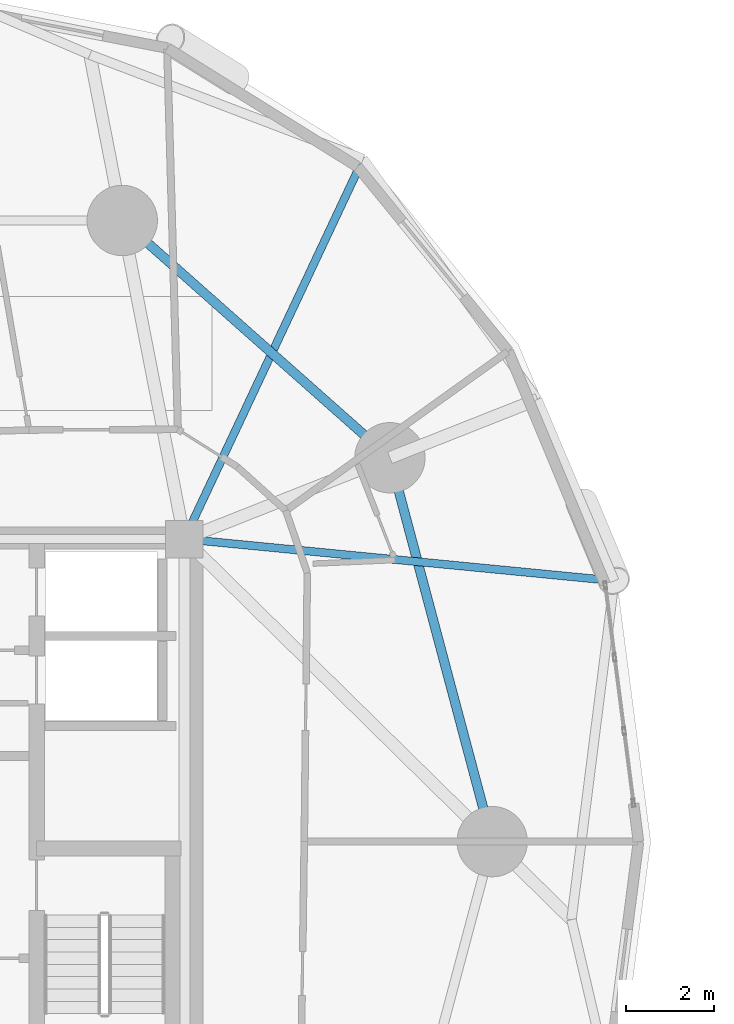
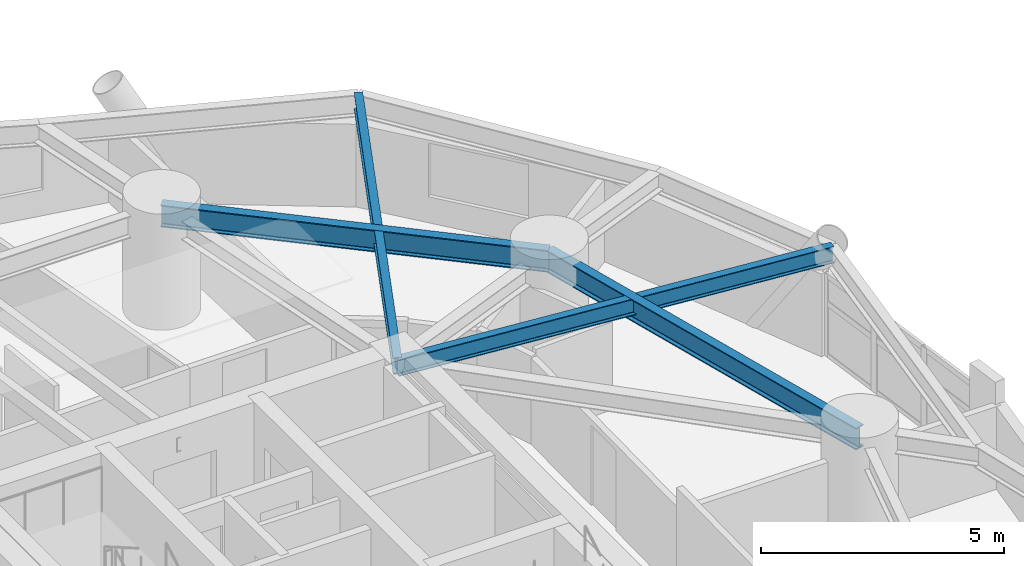
# One storey, part 3 of 18: 4 beams.
"""IFC4 building model written with IfcOpenShell, lengths in metres."""

from ifc_helpers import new_model, si_unit, direction, frame, origin, origin_2d, place, context, subcontext, project, spatial, i_section, extrude, material, material_profile, profile_set, type_object, element, save


model = new_model("IFC4")

# Units and contexts
model_context = context("Model", 3, precision=1e-05, world=origin(), true_north=direction((0.0, 1.0)))
body_context = subcontext(model_context, "Body", "Model", "MODEL_VIEW")
ifc_project = project(units=[si_unit("LENGTHUNIT", "METRE"), si_unit("AREAUNIT", "SQUARE_METRE"), si_unit("VOLUMEUNIT", "CUBIC_METRE"), si_unit("PLANEANGLEUNIT", "RADIAN"), si_unit("MASSUNIT", "GRAM", prefix="KILO")], contexts=[model_context])

# Site, building, storey
site_placement = place(None, origin())
site = spatial("IfcSite", under=ifc_project, at=site_placement, CompositionType="ELEMENT")
building_placement = place(site_placement, origin())
building = spatial("IfcBuilding", under=site, at=building_placement, Name="Cununo Teusaquillo Station Towers", CompositionType="ELEMENT")
storey_placement = place(building_placement, frame((0.0, 0.0, 36.550048828125)))
storey = spatial("IfcBuildingStorey", under=building, at=storey_placement, Name="L10", CompositionType="ELEMENT", Elevation=36.550048828125)

# Beams
ifc_material_1 = material(Name="Steel ASTM A572 Grade 50", Category="steel")
ifc_material_profile_1 = material_profile(ifc_material_1, i_section(OverallWidth=0.180908203125, OverallDepth=0.4169921875, WebThickness=0.010986328125, FlangeThickness=0.018310546875, FilletRadius=0.012939453125, at=origin_2d()), Name="W16X57")
ifc_profile_set_1 = profile_set([ifc_material_profile_1], Name="Steel ASTM A572 Grade 50")
beam_type_1 = type_object("IfcBeamType", Name="BM-JOIST-1", PredefinedType="JOIST", material=ifc_profile_set_1)
beam_1_placement = place(storey_placement, frame((21.675048828125, 31.3798828125, 2.44140625), z_axis=(0.995310719276, -0.096729375545, 0.0), x_axis=(0.096729375545, 0.995310719276, 0.0)))
element("IfcBeam", 1, at=beam_1_placement, inside=storey, type_object=beam_type_1, Name="L10 Tower A Radial Spandrel Joist V01", PredefinedType="JOIST", context=body_context, shape_type="SweptSolid", body=[
    extrude(i_section(OverallWidth=0.180908203125, OverallDepth=0.4169921875, WebThickness=0.010986328125, FlangeThickness=0.018310546875, FilletRadius=0.012939453125, at=origin_2d()), origin(), (0.0, 0.0, 1.0), 9.82080078125),
])
beam_2_placement = place(storey_placement, frame((21.675048828125, 31.3798828125, 2.44140625), z_axis=(0.425472080871, 0.904971551155, 0.0), x_axis=(-0.904971551155, 0.425472080871, 0.0)))
element("IfcBeam", 2, at=beam_2_placement, inside=storey, type_object=beam_type_1, Name="L10 Tower A Radial Spandrel Joist V03", PredefinedType="JOIST", context=body_context, shape_type="SweptSolid", body=[
    extrude(i_section(OverallWidth=0.180908203125, OverallDepth=0.4169921875, WebThickness=0.010986328125, FlangeThickness=0.018310546875, FilletRadius=0.012939453125, at=origin_2d()), origin(), (0.0, 0.0, 1.0), 9.552734375),
])
ifc_material_2 = material(Name="Steel ASTM A572 Grade 50", Category="steel")
ifc_material_profile_2 = material_profile(ifc_material_2, i_section(OverallWidth=0.214111328125, OverallDepth=0.549072265625, WebThickness=0.0146484375, FlangeThickness=0.023681640625, FilletRadius=0.014892578125, at=origin_2d()), Name="W21X93")
ifc_profile_set_2 = profile_set([ifc_material_profile_2], Name="Steel ASTM A572 Grade 50")
beam_type_2 = type_object("IfcBeamType", Name="BM-RING-Z1", PredefinedType="SPANDREL", material=ifc_profile_set_2)
beam_3_placement = place(storey_placement, frame((28.672119140625, 24.5, 2.37548828125), z_axis=(-0.257363196347, 0.966314744359, 0.0), x_axis=(-0.966314744359, -0.257363196347, 0.0)))
element("IfcBeam", 3, at=beam_3_placement, inside=storey, type_object=beam_type_2, Name="L10 Tower A Structural Column Ring Girder 01", PredefinedType="SPANDREL", context=body_context, shape_type="SweptSolid", body=[
    extrude(i_section(OverallWidth=0.214111328125, OverallDepth=0.549072265625, WebThickness=0.0146484375, FlangeThickness=0.023681640625, FilletRadius=0.014892578125, at=origin_2d()), origin(), (0.0, 0.0, 1.0), 9.03271484375),
])
beam_4_placement = place(storey_placement, frame((26.347412109375, 33.228515625, 2.37548828125), z_axis=(-0.74832120039, 0.66333655187, 0.0), x_axis=(-0.66333655187, -0.74832120039, 0.0)))
element("IfcBeam", 4, at=beam_4_placement, inside=storey, type_object=beam_type_2, Name="L10 Tower A Structural Column Ring Girder 02", PredefinedType="SPANDREL", context=body_context, shape_type="SweptSolid", body=[
    extrude(i_section(OverallWidth=0.214111328125, OverallDepth=0.549072265625, WebThickness=0.0146484375, FlangeThickness=0.023681640625, FilletRadius=0.014892578125, at=origin_2d()), origin(), (0.0, 0.0, 1.0), 8.1328125),
])

save(model, "model.ifc")
